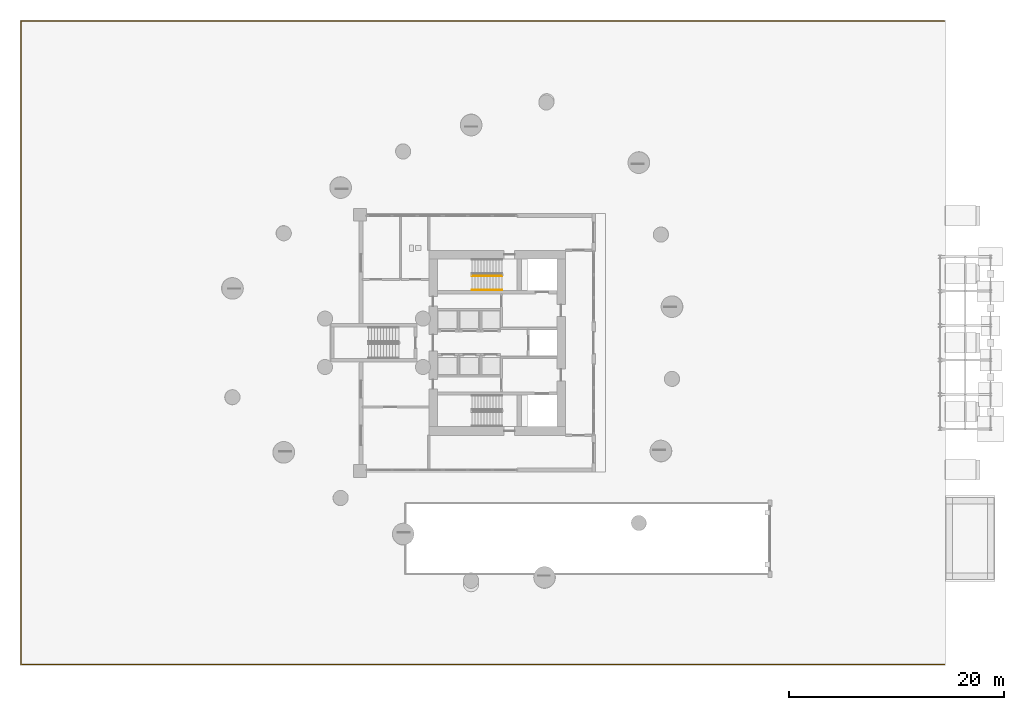
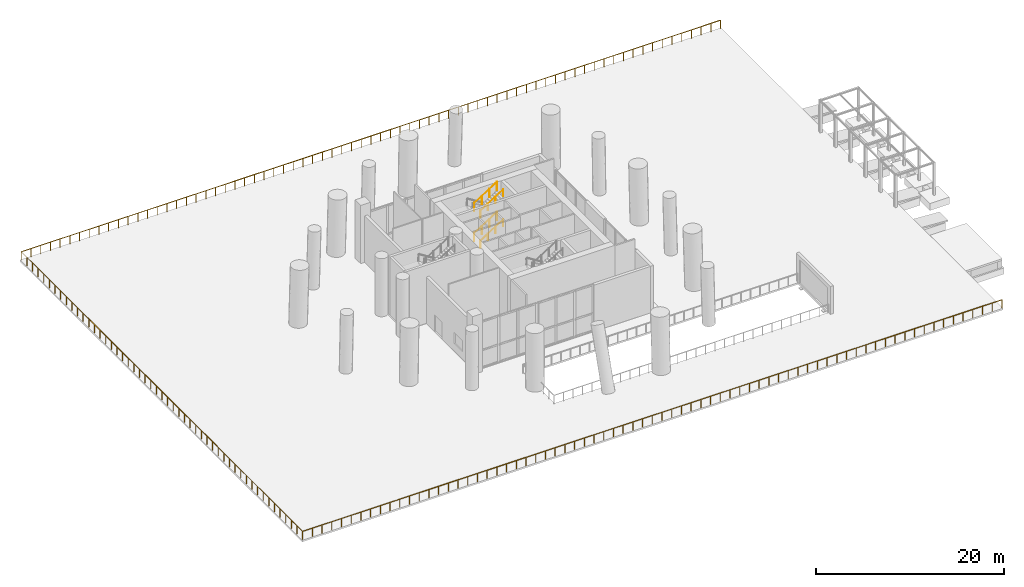
# One storey, part 12 of 16: 5 railings.
"""IFC4 building model written with IfcOpenShell, lengths in metres."""

from ifc_helpers import new_model, si_unit, direction, frame, origin, origin_2d, place, context, subcontext, project, spatial, circle, extrude, source, transform, mapped, material, type_object, element, save


model = new_model("IFC4")

# Units and contexts
model_context = context("Model", 3, precision=1e-05, world=origin(), true_north=direction((0.0, 1.0)))
body_context = subcontext(model_context, "Body", "Model", "MODEL_VIEW")
ifc_project = project(units=[si_unit("LENGTHUNIT", "METRE"), si_unit("AREAUNIT", "SQUARE_METRE"), si_unit("VOLUMEUNIT", "CUBIC_METRE"), si_unit("PLANEANGLEUNIT", "RADIAN"), si_unit("MASSUNIT", "GRAM", prefix="KILO")], contexts=[model_context])

# Site, building, storey
site_placement = place(None, origin())
site = spatial("IfcSite", under=ifc_project, at=site_placement, CompositionType="ELEMENT")
building_placement = place(site_placement, origin())
building = spatial("IfcBuilding", under=site, at=building_placement, Name="Qafzar Sky-Pleat Residences", CompositionType="ELEMENT")
storey_placement = place(building_placement, origin())
storey = spatial("IfcBuildingStorey", under=building, at=storey_placement, Name="L00", CompositionType="ELEMENT", Elevation=0.0)

# Railings
ifc_material_1 = material(Name="Laminated glass and bronze steel balustrade", Category="steel")
railing_type_1 = type_object("IfcRailingType", Name="RAIL-BAL-1100", PredefinedType="BALUSTRADE", material=ifc_material_1)
shared_shape_1 = source(origin(), body_context, "Body", "SweptSolid", [
    extrude(circle(Radius=0.02392578125, at=origin_2d()), frame((0.0, 0.0, 1.076171875), z_axis=(-1.0, 0.0, 0.0), x_axis=(0.0, -1.0, 0.0)), (0.0, 0.0, 1.0), 85.7998046875),
    extrude(circle(Radius=0.02392578125, at=origin_2d()), frame((-85.7998046875, 0.0, 1.076171875), z_axis=(0.0, 1.0, 0.0), x_axis=(-1.0, 0.0, 0.0)), (0.0, 0.0, 1.0), 59.7998046875),
    extrude(circle(Radius=0.02392578125, at=origin_2d()), frame((-85.7998046875, 59.7998046875, 1.076171875), z_axis=(1.0, 0.0, 0.0), x_axis=(0.0, 1.0, 0.0)), (0.0, 0.0, 1.0), 85.7998046875),
    extrude(circle(Radius=0.02099609375, at=origin_2d()), origin(), (0.0, 0.0, 1.0), 1.052001953125),
    extrude(circle(Radius=0.02099609375, at=origin_2d()), frame((-1.191650390625, 0.0, 0.0)), (0.0, 0.0, 1.0), 1.052001953125),
    extrude(circle(Radius=0.02099609375, at=origin_2d()), frame((-2.38330078125, 0.0, 0.0)), (0.0, 0.0, 1.0), 1.052001953125),
    extrude(circle(Radius=0.02099609375, at=origin_2d()), frame((-3.574951171875, 0.0, 0.0)), (0.0, 0.0, 1.0), 1.052001953125),
    extrude(circle(Radius=0.02099609375, at=origin_2d()), frame((-4.7666015625, 0.0, 0.0)), (0.0, 0.0, 1.0), 1.052001953125),
    extrude(circle(Radius=0.02099609375, at=origin_2d()), frame((-5.958251953125, 0.0, 0.0)), (0.0, 0.0, 1.0), 1.052001953125),
    extrude(circle(Radius=0.02099609375, at=origin_2d()), frame((-7.14990234375, 0.0, 0.0)), (0.0, 0.0, 1.0), 1.052001953125),
    extrude(circle(Radius=0.02099609375, at=origin_2d()), frame((-8.341552734375, 0.0, 0.0)), (0.0, 0.0, 1.0), 1.052001953125),
    extrude(circle(Radius=0.02099609375, at=origin_2d()), frame((-9.533203125, 0.0, 0.0)), (0.0, 0.0, 1.0), 1.052001953125),
    extrude(circle(Radius=0.02099609375, at=origin_2d()), frame((-10.72509765625, 0.0, 0.0)), (0.0, 0.0, 1.0), 1.052001953125),
    extrude(circle(Radius=0.02099609375, at=origin_2d()), frame((-11.916748046875, 0.0, 0.0)), (0.0, 0.0, 1.0), 1.052001953125),
    extrude(circle(Radius=0.02099609375, at=origin_2d()), frame((-13.1083984375, 0.0, 0.0)), (0.0, 0.0, 1.0), 1.052001953125),
    extrude(circle(Radius=0.02099609375, at=origin_2d()), frame((-14.300048828125, 0.0, 0.0)), (0.0, 0.0, 1.0), 1.052001953125),
    extrude(circle(Radius=0.02099609375, at=origin_2d()), frame((-15.49169921875, 0.0, 0.0)), (0.0, 0.0, 1.0), 1.052001953125),
    extrude(circle(Radius=0.02099609375, at=origin_2d()), frame((-16.683349609375, 0.0, 0.0)), (0.0, 0.0, 1.0), 1.052001953125),
    extrude(circle(Radius=0.02099609375, at=origin_2d()), frame((-17.875, 0.0, 0.0)), (0.0, 0.0, 1.0), 1.052001953125),
    extrude(circle(Radius=0.02099609375, at=origin_2d()), frame((-19.066650390625, 0.0, 0.0)), (0.0, 0.0, 1.0), 1.052001953125),
    extrude(circle(Radius=0.02099609375, at=origin_2d()), frame((-20.25830078125, 0.0, 0.0)), (0.0, 0.0, 1.0), 1.052001953125),
    extrude(circle(Radius=0.02099609375, at=origin_2d()), frame((-21.449951171875, 0.0, 0.0)), (0.0, 0.0, 1.0), 1.052001953125),
    extrude(circle(Radius=0.02099609375, at=origin_2d()), frame((-22.6416015625, 0.0, 0.0)), (0.0, 0.0, 1.0), 1.052001953125),
    extrude(circle(Radius=0.02099609375, at=origin_2d()), frame((-23.833251953125, 0.0, 0.0)), (0.0, 0.0, 1.0), 1.052001953125),
    extrude(circle(Radius=0.02099609375, at=origin_2d()), frame((-25.02490234375, 0.0, 0.0)), (0.0, 0.0, 1.0), 1.052001953125),
    extrude(circle(Radius=0.02099609375, at=origin_2d()), frame((-26.216552734375, 0.0, 0.0)), (0.0, 0.0, 1.0), 1.052001953125),
    extrude(circle(Radius=0.02099609375, at=origin_2d()), frame((-27.408203125, 0.0, 0.0)), (0.0, 0.0, 1.0), 1.052001953125),
    extrude(circle(Radius=0.02099609375, at=origin_2d()), frame((-28.599853515625, 0.0, 0.0)), (0.0, 0.0, 1.0), 1.052001953125),
    extrude(circle(Radius=0.02099609375, at=origin_2d()), frame((-29.79150390625, 0.0, 0.0)), (0.0, 0.0, 1.0), 1.052001953125),
    extrude(circle(Radius=0.02099609375, at=origin_2d()), frame((-30.983154296875, 0.0, 0.0)), (0.0, 0.0, 1.0), 1.052001953125),
    extrude(circle(Radius=0.02099609375, at=origin_2d()), frame((-32.1748046875, 0.0, 0.0)), (0.0, 0.0, 1.0), 1.052001953125),
    extrude(circle(Radius=0.02099609375, at=origin_2d()), frame((-33.36669921875, 0.0, 0.0)), (0.0, 0.0, 1.0), 1.052001953125),
    extrude(circle(Radius=0.02099609375, at=origin_2d()), frame((-34.558349609375, 0.0, 0.0)), (0.0, 0.0, 1.0), 1.052001953125),
    extrude(circle(Radius=0.02099609375, at=origin_2d()), frame((-35.75, 0.0, 0.0)), (0.0, 0.0, 1.0), 1.052001953125),
    extrude(circle(Radius=0.02099609375, at=origin_2d()), frame((-36.941650390625, 0.0, 0.0)), (0.0, 0.0, 1.0), 1.052001953125),
    extrude(circle(Radius=0.02099609375, at=origin_2d()), frame((-38.13330078125, 0.0, 0.0)), (0.0, 0.0, 1.0), 1.052001953125),
    extrude(circle(Radius=0.02099609375, at=origin_2d()), frame((-39.324951171875, 0.0, 0.0)), (0.0, 0.0, 1.0), 1.052001953125),
    extrude(circle(Radius=0.02099609375, at=origin_2d()), frame((-40.5166015625, 0.0, 0.0)), (0.0, 0.0, 1.0), 1.052001953125),
    extrude(circle(Radius=0.02099609375, at=origin_2d()), frame((-41.708251953125, 0.0, 0.0)), (0.0, 0.0, 1.0), 1.052001953125),
    extrude(circle(Radius=0.02099609375, at=origin_2d()), frame((-42.89990234375, 0.0, 0.0)), (0.0, 0.0, 1.0), 1.052001953125),
    extrude(circle(Radius=0.02099609375, at=origin_2d()), frame((-44.091552734375, 0.0, 0.0)), (0.0, 0.0, 1.0), 1.052001953125),
    extrude(circle(Radius=0.02099609375, at=origin_2d()), frame((-45.283203125, 0.0, 0.0)), (0.0, 0.0, 1.0), 1.052001953125),
    extrude(circle(Radius=0.02099609375, at=origin_2d()), frame((-46.474853515625, 0.0, 0.0)), (0.0, 0.0, 1.0), 1.052001953125),
    extrude(circle(Radius=0.02099609375, at=origin_2d()), frame((-47.66650390625, 0.0, 0.0)), (0.0, 0.0, 1.0), 1.052001953125),
    extrude(circle(Radius=0.02099609375, at=origin_2d()), frame((-48.858154296875, 0.0, 0.0)), (0.0, 0.0, 1.0), 1.052001953125),
    extrude(circle(Radius=0.02099609375, at=origin_2d()), frame((-50.0498046875, 0.0, 0.0)), (0.0, 0.0, 1.0), 1.052001953125),
    extrude(circle(Radius=0.02099609375, at=origin_2d()), frame((-51.241455078125, 0.0, 0.0)), (0.0, 0.0, 1.0), 1.052001953125),
    extrude(circle(Radius=0.02099609375, at=origin_2d()), frame((-52.43310546875, 0.0, 0.0)), (0.0, 0.0, 1.0), 1.052001953125),
    extrude(circle(Radius=0.02099609375, at=origin_2d()), frame((-53.625, 0.0, 0.0)), (0.0, 0.0, 1.0), 1.052001953125),
    extrude(circle(Radius=0.02099609375, at=origin_2d()), frame((-54.816650390625, 0.0, 0.0)), (0.0, 0.0, 1.0), 1.052001953125),
    extrude(circle(Radius=0.02099609375, at=origin_2d()), frame((-56.00830078125, 0.0, 0.0)), (0.0, 0.0, 1.0), 1.052001953125),
    extrude(circle(Radius=0.02099609375, at=origin_2d()), frame((-57.199951171875, 0.0, 0.0)), (0.0, 0.0, 1.0), 1.052001953125),
    extrude(circle(Radius=0.02099609375, at=origin_2d()), frame((-58.3916015625, 0.0, 0.0)), (0.0, 0.0, 1.0), 1.052001953125),
    extrude(circle(Radius=0.02099609375, at=origin_2d()), frame((-59.583251953125, 0.0, 0.0)), (0.0, 0.0, 1.0), 1.052001953125),
    extrude(circle(Radius=0.02099609375, at=origin_2d()), frame((-60.77490234375, 0.0, 0.0)), (0.0, 0.0, 1.0), 1.052001953125),
    extrude(circle(Radius=0.02099609375, at=origin_2d()), frame((-61.966552734375, 0.0, 0.0)), (0.0, 0.0, 1.0), 1.052001953125),
    extrude(circle(Radius=0.02099609375, at=origin_2d()), frame((-63.158203125, 0.0, 0.0)), (0.0, 0.0, 1.0), 1.052001953125),
    extrude(circle(Radius=0.02099609375, at=origin_2d()), frame((-64.349853515625, 0.0, 0.0)), (0.0, 0.0, 1.0), 1.052001953125),
    extrude(circle(Radius=0.02099609375, at=origin_2d()), frame((-65.54150390625, 0.0, 0.0)), (0.0, 0.0, 1.0), 1.052001953125),
    extrude(circle(Radius=0.02099609375, at=origin_2d()), frame((-66.733154296875, 0.0, 0.0)), (0.0, 0.0, 1.0), 1.052001953125),
    extrude(circle(Radius=0.02099609375, at=origin_2d()), frame((-67.9248046875, 0.0, 0.0)), (0.0, 0.0, 1.0), 1.052001953125),
    extrude(circle(Radius=0.02099609375, at=origin_2d()), frame((-69.116455078125, 0.0, 0.0)), (0.0, 0.0, 1.0), 1.052001953125),
    extrude(circle(Radius=0.02099609375, at=origin_2d()), frame((-70.30810546875, 0.0, 0.0)), (0.0, 0.0, 1.0), 1.052001953125),
    extrude(circle(Radius=0.02099609375, at=origin_2d()), frame((-71.499755859375, 0.0, 0.0)), (0.0, 0.0, 1.0), 1.052001953125),
    extrude(circle(Radius=0.02099609375, at=origin_2d()), frame((-72.69140625, 0.0, 0.0)), (0.0, 0.0, 1.0), 1.052001953125),
    extrude(circle(Radius=0.02099609375, at=origin_2d()), frame((-73.883056640625, 0.0, 0.0)), (0.0, 0.0, 1.0), 1.052001953125),
    extrude(circle(Radius=0.02099609375, at=origin_2d()), frame((-75.07470703125, 0.0, 0.0)), (0.0, 0.0, 1.0), 1.052001953125),
    extrude(circle(Radius=0.02099609375, at=origin_2d()), frame((-76.2666015625, 0.0, 0.0)), (0.0, 0.0, 1.0), 1.052001953125),
    extrude(circle(Radius=0.02099609375, at=origin_2d()), frame((-77.458251953125, 0.0, 0.0)), (0.0, 0.0, 1.0), 1.052001953125),
    extrude(circle(Radius=0.02099609375, at=origin_2d()), frame((-78.64990234375, 0.0, 0.0)), (0.0, 0.0, 1.0), 1.052001953125),
    extrude(circle(Radius=0.02099609375, at=origin_2d()), frame((-79.841552734375, 0.0, 0.0)), (0.0, 0.0, 1.0), 1.052001953125),
    extrude(circle(Radius=0.02099609375, at=origin_2d()), frame((-81.033203125, 0.0, 0.0)), (0.0, 0.0, 1.0), 1.052001953125),
    extrude(circle(Radius=0.02099609375, at=origin_2d()), frame((-82.224853515625, 0.0, 0.0)), (0.0, 0.0, 1.0), 1.052001953125),
    extrude(circle(Radius=0.02099609375, at=origin_2d()), frame((-83.41650390625, 0.0, 0.0)), (0.0, 0.0, 1.0), 1.052001953125),
    extrude(circle(Radius=0.02099609375, at=origin_2d()), frame((-84.608154296875, 0.0, 0.0)), (0.0, 0.0, 1.0), 1.052001953125),
    extrude(circle(Radius=0.02099609375, at=origin_2d()), frame((-85.7998046875, 0.0, 0.0)), (0.0, 0.0, 1.0), 1.052001953125),
    extrude(circle(Radius=0.02099609375, at=origin_2d()), frame((-85.7998046875, 1.196044921875, 0.0)), (0.0, 0.0, 1.0), 1.052001953125),
    extrude(circle(Radius=0.02099609375, at=origin_2d()), frame((-85.7998046875, 2.39208984375, 0.0)), (0.0, 0.0, 1.0), 1.052001953125),
    extrude(circle(Radius=0.02099609375, at=origin_2d()), frame((-85.7998046875, 3.587890625, 0.0)), (0.0, 0.0, 1.0), 1.052001953125),
    extrude(circle(Radius=0.02099609375, at=origin_2d()), frame((-85.7998046875, 4.783935546875, 0.0)), (0.0, 0.0, 1.0), 1.052001953125),
    extrude(circle(Radius=0.02099609375, at=origin_2d()), frame((-85.7998046875, 5.97998046875, 0.0)), (0.0, 0.0, 1.0), 1.052001953125),
    extrude(circle(Radius=0.02099609375, at=origin_2d()), frame((-85.7998046875, 7.176025390625, 0.0)), (0.0, 0.0, 1.0), 1.052001953125),
    extrude(circle(Radius=0.02099609375, at=origin_2d()), frame((-85.7998046875, 8.3720703125, 0.0)), (0.0, 0.0, 1.0), 1.052001953125),
    extrude(circle(Radius=0.02099609375, at=origin_2d()), frame((-85.7998046875, 9.56787109375, 0.0)), (0.0, 0.0, 1.0), 1.052001953125),
    extrude(circle(Radius=0.02099609375, at=origin_2d()), frame((-85.7998046875, 10.763916015625, 0.0)), (0.0, 0.0, 1.0), 1.052001953125),
    extrude(circle(Radius=0.02099609375, at=origin_2d()), frame((-85.7998046875, 11.9599609375, 0.0)), (0.0, 0.0, 1.0), 1.052001953125),
    extrude(circle(Radius=0.02099609375, at=origin_2d()), frame((-85.7998046875, 13.156005859375, 0.0)), (0.0, 0.0, 1.0), 1.052001953125),
    extrude(circle(Radius=0.02099609375, at=origin_2d()), frame((-85.7998046875, 14.35205078125, 0.0)), (0.0, 0.0, 1.0), 1.052001953125),
    extrude(circle(Radius=0.02099609375, at=origin_2d()), frame((-85.7998046875, 15.5478515625, 0.0)), (0.0, 0.0, 1.0), 1.052001953125),
    extrude(circle(Radius=0.02099609375, at=origin_2d()), frame((-85.7998046875, 16.743896484375, 0.0)), (0.0, 0.0, 1.0), 1.052001953125),
    extrude(circle(Radius=0.02099609375, at=origin_2d()), frame((-85.7998046875, 17.93994140625, 0.0)), (0.0, 0.0, 1.0), 1.052001953125),
    extrude(circle(Radius=0.02099609375, at=origin_2d()), frame((-85.7998046875, 19.135986328125, 0.0)), (0.0, 0.0, 1.0), 1.052001953125),
    extrude(circle(Radius=0.02099609375, at=origin_2d()), frame((-85.7998046875, 20.33203125, 0.0)), (0.0, 0.0, 1.0), 1.052001953125),
    extrude(circle(Radius=0.02099609375, at=origin_2d()), frame((-85.7998046875, 21.52783203125, 0.0)), (0.0, 0.0, 1.0), 1.052001953125),
    extrude(circle(Radius=0.02099609375, at=origin_2d()), frame((-85.7998046875, 22.723876953125, 0.0)), (0.0, 0.0, 1.0), 1.052001953125),
    extrude(circle(Radius=0.02099609375, at=origin_2d()), frame((-85.7998046875, 23.919921875, 0.0)), (0.0, 0.0, 1.0), 1.052001953125),
    extrude(circle(Radius=0.02099609375, at=origin_2d()), frame((-85.7998046875, 25.115966796875, 0.0)), (0.0, 0.0, 1.0), 1.052001953125),
    extrude(circle(Radius=0.02099609375, at=origin_2d()), frame((-85.7998046875, 26.31201171875, 0.0)), (0.0, 0.0, 1.0), 1.052001953125),
    extrude(circle(Radius=0.02099609375, at=origin_2d()), frame((-85.7998046875, 27.5078125, 0.0)), (0.0, 0.0, 1.0), 1.052001953125),
    extrude(circle(Radius=0.02099609375, at=origin_2d()), frame((-85.7998046875, 28.703857421875, 0.0)), (0.0, 0.0, 1.0), 1.052001953125),
    extrude(circle(Radius=0.02099609375, at=origin_2d()), frame((-85.7998046875, 29.89990234375, 0.0)), (0.0, 0.0, 1.0), 1.052001953125),
    extrude(circle(Radius=0.02099609375, at=origin_2d()), frame((-85.7998046875, 31.095947265625, 0.0)), (0.0, 0.0, 1.0), 1.052001953125),
    extrude(circle(Radius=0.02099609375, at=origin_2d()), frame((-85.7998046875, 32.2919921875, 0.0)), (0.0, 0.0, 1.0), 1.052001953125),
    extrude(circle(Radius=0.02099609375, at=origin_2d()), frame((-85.7998046875, 33.48779296875, 0.0)), (0.0, 0.0, 1.0), 1.052001953125),
    extrude(circle(Radius=0.02099609375, at=origin_2d()), frame((-85.7998046875, 34.683837890625, 0.0)), (0.0, 0.0, 1.0), 1.052001953125),
    extrude(circle(Radius=0.02099609375, at=origin_2d()), frame((-85.7998046875, 35.8798828125, 0.0)), (0.0, 0.0, 1.0), 1.052001953125),
    extrude(circle(Radius=0.02099609375, at=origin_2d()), frame((-85.7998046875, 37.075927734375, 0.0)), (0.0, 0.0, 1.0), 1.052001953125),
    extrude(circle(Radius=0.02099609375, at=origin_2d()), frame((-85.7998046875, 38.27197265625, 0.0)), (0.0, 0.0, 1.0), 1.052001953125),
    extrude(circle(Radius=0.02099609375, at=origin_2d()), frame((-85.7998046875, 39.4677734375, 0.0)), (0.0, 0.0, 1.0), 1.052001953125),
    extrude(circle(Radius=0.02099609375, at=origin_2d()), frame((-85.7998046875, 40.663818359375, 0.0)), (0.0, 0.0, 1.0), 1.052001953125),
    extrude(circle(Radius=0.02099609375, at=origin_2d()), frame((-85.7998046875, 41.85986328125, 0.0)), (0.0, 0.0, 1.0), 1.052001953125),
    extrude(circle(Radius=0.02099609375, at=origin_2d()), frame((-85.7998046875, 43.055908203125, 0.0)), (0.0, 0.0, 1.0), 1.052001953125),
    extrude(circle(Radius=0.02099609375, at=origin_2d()), frame((-85.7998046875, 44.251953125, 0.0)), (0.0, 0.0, 1.0), 1.052001953125),
    extrude(circle(Radius=0.02099609375, at=origin_2d()), frame((-85.7998046875, 45.44775390625, 0.0)), (0.0, 0.0, 1.0), 1.052001953125),
    extrude(circle(Radius=0.02099609375, at=origin_2d()), frame((-85.7998046875, 46.643798828125, 0.0)), (0.0, 0.0, 1.0), 1.052001953125),
    extrude(circle(Radius=0.02099609375, at=origin_2d()), frame((-85.7998046875, 47.83984375, 0.0)), (0.0, 0.0, 1.0), 1.052001953125),
    extrude(circle(Radius=0.02099609375, at=origin_2d()), frame((-85.7998046875, 49.035888671875, 0.0)), (0.0, 0.0, 1.0), 1.052001953125),
    extrude(circle(Radius=0.02099609375, at=origin_2d()), frame((-85.7998046875, 50.23193359375, 0.0)), (0.0, 0.0, 1.0), 1.052001953125),
    extrude(circle(Radius=0.02099609375, at=origin_2d()), frame((-85.7998046875, 51.427734375, 0.0)), (0.0, 0.0, 1.0), 1.052001953125),
    extrude(circle(Radius=0.02099609375, at=origin_2d()), frame((-85.7998046875, 52.623779296875, 0.0)), (0.0, 0.0, 1.0), 1.052001953125),
    extrude(circle(Radius=0.02099609375, at=origin_2d()), frame((-85.7998046875, 53.81982421875, 0.0)), (0.0, 0.0, 1.0), 1.052001953125),
    extrude(circle(Radius=0.02099609375, at=origin_2d()), frame((-85.7998046875, 55.015869140625, 0.0)), (0.0, 0.0, 1.0), 1.052001953125),
    extrude(circle(Radius=0.02099609375, at=origin_2d()), frame((-85.7998046875, 56.2119140625, 0.0)), (0.0, 0.0, 1.0), 1.052001953125),
    extrude(circle(Radius=0.02099609375, at=origin_2d()), frame((-85.7998046875, 57.40771484375, 0.0)), (0.0, 0.0, 1.0), 1.052001953125),
    extrude(circle(Radius=0.02099609375, at=origin_2d()), frame((-85.7998046875, 58.603759765625, 0.0)), (0.0, 0.0, 1.0), 1.052001953125),
    extrude(circle(Radius=0.02099609375, at=origin_2d()), frame((-85.7998046875, 59.7998046875, 0.0)), (0.0, 0.0, 1.0), 1.052001953125),
    extrude(circle(Radius=0.02099609375, at=origin_2d()), frame((-84.608154296875, 59.7998046875, 0.0)), (0.0, 0.0, 1.0), 1.052001953125),
    extrude(circle(Radius=0.02099609375, at=origin_2d()), frame((-83.41650390625, 59.7998046875, 0.0)), (0.0, 0.0, 1.0), 1.052001953125),
    extrude(circle(Radius=0.02099609375, at=origin_2d()), frame((-82.224853515625, 59.7998046875, 0.0)), (0.0, 0.0, 1.0), 1.052001953125),
    extrude(circle(Radius=0.02099609375, at=origin_2d()), frame((-81.033203125, 59.7998046875, 0.0)), (0.0, 0.0, 1.0), 1.052001953125),
    extrude(circle(Radius=0.02099609375, at=origin_2d()), frame((-79.841552734375, 59.7998046875, 0.0)), (0.0, 0.0, 1.0), 1.052001953125),
    extrude(circle(Radius=0.02099609375, at=origin_2d()), frame((-78.64990234375, 59.7998046875, 0.0)), (0.0, 0.0, 1.0), 1.052001953125),
    extrude(circle(Radius=0.02099609375, at=origin_2d()), frame((-77.458251953125, 59.7998046875, 0.0)), (0.0, 0.0, 1.0), 1.052001953125),
    extrude(circle(Radius=0.02099609375, at=origin_2d()), frame((-76.2666015625, 59.7998046875, 0.0)), (0.0, 0.0, 1.0), 1.052001953125),
    extrude(circle(Radius=0.02099609375, at=origin_2d()), frame((-75.07470703125, 59.7998046875, 0.0)), (0.0, 0.0, 1.0), 1.052001953125),
    extrude(circle(Radius=0.02099609375, at=origin_2d()), frame((-73.883056640625, 59.7998046875, 0.0)), (0.0, 0.0, 1.0), 1.052001953125),
    extrude(circle(Radius=0.02099609375, at=origin_2d()), frame((-72.69140625, 59.7998046875, 0.0)), (0.0, 0.0, 1.0), 1.052001953125),
    extrude(circle(Radius=0.02099609375, at=origin_2d()), frame((-71.499755859375, 59.7998046875, 0.0)), (0.0, 0.0, 1.0), 1.052001953125),
    extrude(circle(Radius=0.02099609375, at=origin_2d()), frame((-70.30810546875, 59.7998046875, 0.0)), (0.0, 0.0, 1.0), 1.052001953125),
    extrude(circle(Radius=0.02099609375, at=origin_2d()), frame((-69.116455078125, 59.7998046875, 0.0)), (0.0, 0.0, 1.0), 1.052001953125),
    extrude(circle(Radius=0.02099609375, at=origin_2d()), frame((-67.9248046875, 59.7998046875, 0.0)), (0.0, 0.0, 1.0), 1.052001953125),
    extrude(circle(Radius=0.02099609375, at=origin_2d()), frame((-66.733154296875, 59.7998046875, 0.0)), (0.0, 0.0, 1.0), 1.052001953125),
    extrude(circle(Radius=0.02099609375, at=origin_2d()), frame((-65.54150390625, 59.7998046875, 0.0)), (0.0, 0.0, 1.0), 1.052001953125),
    extrude(circle(Radius=0.02099609375, at=origin_2d()), frame((-64.349853515625, 59.7998046875, 0.0)), (0.0, 0.0, 1.0), 1.052001953125),
    extrude(circle(Radius=0.02099609375, at=origin_2d()), frame((-63.158203125, 59.7998046875, 0.0)), (0.0, 0.0, 1.0), 1.052001953125),
    extrude(circle(Radius=0.02099609375, at=origin_2d()), frame((-61.966552734375, 59.7998046875, 0.0)), (0.0, 0.0, 1.0), 1.052001953125),
    extrude(circle(Radius=0.02099609375, at=origin_2d()), frame((-60.77490234375, 59.7998046875, 0.0)), (0.0, 0.0, 1.0), 1.052001953125),
    extrude(circle(Radius=0.02099609375, at=origin_2d()), frame((-59.583251953125, 59.7998046875, 0.0)), (0.0, 0.0, 1.0), 1.052001953125),
    extrude(circle(Radius=0.02099609375, at=origin_2d()), frame((-58.3916015625, 59.7998046875, 0.0)), (0.0, 0.0, 1.0), 1.052001953125),
    extrude(circle(Radius=0.02099609375, at=origin_2d()), frame((-57.199951171875, 59.7998046875, 0.0)), (0.0, 0.0, 1.0), 1.052001953125),
    extrude(circle(Radius=0.02099609375, at=origin_2d()), frame((-56.00830078125, 59.7998046875, 0.0)), (0.0, 0.0, 1.0), 1.052001953125),
    extrude(circle(Radius=0.02099609375, at=origin_2d()), frame((-54.816650390625, 59.7998046875, 0.0)), (0.0, 0.0, 1.0), 1.052001953125),
    extrude(circle(Radius=0.02099609375, at=origin_2d()), frame((-53.625, 59.7998046875, 0.0)), (0.0, 0.0, 1.0), 1.052001953125),
    extrude(circle(Radius=0.02099609375, at=origin_2d()), frame((-52.43310546875, 59.7998046875, 0.0)), (0.0, 0.0, 1.0), 1.052001953125),
    extrude(circle(Radius=0.02099609375, at=origin_2d()), frame((-51.241455078125, 59.7998046875, 0.0)), (0.0, 0.0, 1.0), 1.052001953125),
    extrude(circle(Radius=0.02099609375, at=origin_2d()), frame((-50.0498046875, 59.7998046875, 0.0)), (0.0, 0.0, 1.0), 1.052001953125),
    extrude(circle(Radius=0.02099609375, at=origin_2d()), frame((-48.858154296875, 59.7998046875, 0.0)), (0.0, 0.0, 1.0), 1.052001953125),
    extrude(circle(Radius=0.02099609375, at=origin_2d()), frame((-47.66650390625, 59.7998046875, 0.0)), (0.0, 0.0, 1.0), 1.052001953125),
    extrude(circle(Radius=0.02099609375, at=origin_2d()), frame((-46.474853515625, 59.7998046875, 0.0)), (0.0, 0.0, 1.0), 1.052001953125),
    extrude(circle(Radius=0.02099609375, at=origin_2d()), frame((-45.283203125, 59.7998046875, 0.0)), (0.0, 0.0, 1.0), 1.052001953125),
    extrude(circle(Radius=0.02099609375, at=origin_2d()), frame((-44.091552734375, 59.7998046875, 0.0)), (0.0, 0.0, 1.0), 1.052001953125),
    extrude(circle(Radius=0.02099609375, at=origin_2d()), frame((-42.89990234375, 59.7998046875, 0.0)), (0.0, 0.0, 1.0), 1.052001953125),
    extrude(circle(Radius=0.02099609375, at=origin_2d()), frame((-41.708251953125, 59.7998046875, 0.0)), (0.0, 0.0, 1.0), 1.052001953125),
    extrude(circle(Radius=0.02099609375, at=origin_2d()), frame((-40.5166015625, 59.7998046875, 0.0)), (0.0, 0.0, 1.0), 1.052001953125),
    extrude(circle(Radius=0.02099609375, at=origin_2d()), frame((-39.324951171875, 59.7998046875, 0.0)), (0.0, 0.0, 1.0), 1.052001953125),
    extrude(circle(Radius=0.02099609375, at=origin_2d()), frame((-38.13330078125, 59.7998046875, 0.0)), (0.0, 0.0, 1.0), 1.052001953125),
    extrude(circle(Radius=0.02099609375, at=origin_2d()), frame((-36.941650390625, 59.7998046875, 0.0)), (0.0, 0.0, 1.0), 1.052001953125),
    extrude(circle(Radius=0.02099609375, at=origin_2d()), frame((-35.75, 59.7998046875, 0.0)), (0.0, 0.0, 1.0), 1.052001953125),
    extrude(circle(Radius=0.02099609375, at=origin_2d()), frame((-34.558349609375, 59.7998046875, 0.0)), (0.0, 0.0, 1.0), 1.052001953125),
    extrude(circle(Radius=0.02099609375, at=origin_2d()), frame((-33.36669921875, 59.7998046875, 0.0)), (0.0, 0.0, 1.0), 1.052001953125),
    extrude(circle(Radius=0.02099609375, at=origin_2d()), frame((-32.1748046875, 59.7998046875, 0.0)), (0.0, 0.0, 1.0), 1.052001953125),
    extrude(circle(Radius=0.02099609375, at=origin_2d()), frame((-30.983154296875, 59.7998046875, 0.0)), (0.0, 0.0, 1.0), 1.052001953125),
    extrude(circle(Radius=0.02099609375, at=origin_2d()), frame((-29.79150390625, 59.7998046875, 0.0)), (0.0, 0.0, 1.0), 1.052001953125),
    extrude(circle(Radius=0.02099609375, at=origin_2d()), frame((-28.599853515625, 59.7998046875, 0.0)), (0.0, 0.0, 1.0), 1.052001953125),
    extrude(circle(Radius=0.02099609375, at=origin_2d()), frame((-27.408203125, 59.7998046875, 0.0)), (0.0, 0.0, 1.0), 1.052001953125),
    extrude(circle(Radius=0.02099609375, at=origin_2d()), frame((-26.216552734375, 59.7998046875, 0.0)), (0.0, 0.0, 1.0), 1.052001953125),
    extrude(circle(Radius=0.02099609375, at=origin_2d()), frame((-25.02490234375, 59.7998046875, 0.0)), (0.0, 0.0, 1.0), 1.052001953125),
    extrude(circle(Radius=0.02099609375, at=origin_2d()), frame((-23.833251953125, 59.7998046875, 0.0)), (0.0, 0.0, 1.0), 1.052001953125),
    extrude(circle(Radius=0.02099609375, at=origin_2d()), frame((-22.6416015625, 59.7998046875, 0.0)), (0.0, 0.0, 1.0), 1.052001953125),
    extrude(circle(Radius=0.02099609375, at=origin_2d()), frame((-21.449951171875, 59.7998046875, 0.0)), (0.0, 0.0, 1.0), 1.052001953125),
    extrude(circle(Radius=0.02099609375, at=origin_2d()), frame((-20.25830078125, 59.7998046875, 0.0)), (0.0, 0.0, 1.0), 1.052001953125),
    extrude(circle(Radius=0.02099609375, at=origin_2d()), frame((-19.066650390625, 59.7998046875, 0.0)), (0.0, 0.0, 1.0), 1.052001953125),
    extrude(circle(Radius=0.02099609375, at=origin_2d()), frame((-17.875, 59.7998046875, 0.0)), (0.0, 0.0, 1.0), 1.052001953125),
    extrude(circle(Radius=0.02099609375, at=origin_2d()), frame((-16.683349609375, 59.7998046875, 0.0)), (0.0, 0.0, 1.0), 1.052001953125),
    extrude(circle(Radius=0.02099609375, at=origin_2d()), frame((-15.49169921875, 59.7998046875, 0.0)), (0.0, 0.0, 1.0), 1.052001953125),
    extrude(circle(Radius=0.02099609375, at=origin_2d()), frame((-14.300048828125, 59.7998046875, 0.0)), (0.0, 0.0, 1.0), 1.052001953125),
    extrude(circle(Radius=0.02099609375, at=origin_2d()), frame((-13.1083984375, 59.7998046875, 0.0)), (0.0, 0.0, 1.0), 1.052001953125),
    extrude(circle(Radius=0.02099609375, at=origin_2d()), frame((-11.916748046875, 59.7998046875, 0.0)), (0.0, 0.0, 1.0), 1.052001953125),
    extrude(circle(Radius=0.02099609375, at=origin_2d()), frame((-10.72509765625, 59.7998046875, 0.0)), (0.0, 0.0, 1.0), 1.052001953125),
    extrude(circle(Radius=0.02099609375, at=origin_2d()), frame((-9.533203125, 59.7998046875, 0.0)), (0.0, 0.0, 1.0), 1.052001953125),
    extrude(circle(Radius=0.02099609375, at=origin_2d()), frame((-8.341552734375, 59.7998046875, 0.0)), (0.0, 0.0, 1.0), 1.052001953125),
    extrude(circle(Radius=0.02099609375, at=origin_2d()), frame((-7.14990234375, 59.7998046875, 0.0)), (0.0, 0.0, 1.0), 1.052001953125),
    extrude(circle(Radius=0.02099609375, at=origin_2d()), frame((-5.958251953125, 59.7998046875, 0.0)), (0.0, 0.0, 1.0), 1.052001953125),
    extrude(circle(Radius=0.02099609375, at=origin_2d()), frame((-4.7666015625, 59.7998046875, 0.0)), (0.0, 0.0, 1.0), 1.052001953125),
    extrude(circle(Radius=0.02099609375, at=origin_2d()), frame((-3.574951171875, 59.7998046875, 0.0)), (0.0, 0.0, 1.0), 1.052001953125),
    extrude(circle(Radius=0.02099609375, at=origin_2d()), frame((-2.38330078125, 59.7998046875, 0.0)), (0.0, 0.0, 1.0), 1.052001953125),
    extrude(circle(Radius=0.02099609375, at=origin_2d()), frame((-1.191650390625, 59.7998046875, 0.0)), (0.0, 0.0, 1.0), 1.052001953125),
    extrude(circle(Radius=0.02099609375, at=origin_2d()), frame((0.0, 59.7998046875, 0.0)), (0.0, 0.0, 1.0), 1.052001953125),
])
railing_placement = place(storey_placement, frame((71.89990234375, -3.89990234375, 0.0)))
element("IfcRailing", 1, at=railing_placement, inside=storey, type_object=railing_type_1, Name="L00 Wadi Plaza Perimeter Balustrade", PredefinedType="BALUSTRADE", context=body_context, shape_type="MappedRepresentation", body=[
    mapped(shared_shape_1, transform((0.0, 0.0, 0.0), x_axis=(1.0, 0.0, 0.0), y_axis=(0.0, 1.0, 0.0), z_axis=(0.0, 0.0, 1.0), scale=1.0)),
])
ifc_material_2 = material(Name="Painted Steel S355 stair guardrail", Category="steel")
railing_type_2 = type_object("IfcRailingType", Name="RAIL-STAIR-GUARD", PredefinedType="GUARDRAIL", material=ifc_material_2)
shared_shape_2 = source(origin(), body_context, "Body", "SweptSolid", [
    extrude(circle(Radius=0.02392578125, at=origin_2d()), frame((0.0, 0.0, 1.076171875), z_axis=(0.844908973607, 0.0, 0.534910110503), x_axis=(0.0, 1.0, 0.0)), (0.0, 0.0, 1.0), 3.31396484375),
    extrude(circle(Radius=0.02099609375, at=origin_2d()), origin(), (0.0, 0.0, 1.0), 1.052001953125),
    extrude(circle(Radius=0.02099609375, at=origin_2d()), frame((0.933349609375, 0.0, 0.5908203125)), (0.0, 0.0, 1.0), 1.052001953125),
    extrude(circle(Radius=0.02099609375, at=origin_2d()), frame((1.86669921875, 0.0, 1.181884765625)), (0.0, 0.0, 1.0), 1.052001953125),
    extrude(circle(Radius=0.02099609375, at=origin_2d()), frame((2.800048828125, 0.0, 1.772705078125)), (0.0, 0.0, 1.0), 1.052001953125),
])
for number, where, name in (
    (2, (28.0, 32.199951171875, 2.127197265625), "L00 ST2 stair guard 3"),
    (3, (28.0, 32.199951171875, 6.02734375), "L00 ST2 stair guard 7"),
):
    element("IfcRailing", number, at=place(storey_placement, frame(where)), inside=storey, type_object=railing_type_2, Name=name, PredefinedType="GUARDRAIL", context=body_context, shape_type="MappedRepresentation", body=[
        mapped(shared_shape_2, transform((0.0, 0.0, 0.0), x_axis=(1.0, 0.0, 0.0), y_axis=(0.0, 1.0, 0.0), z_axis=(0.0, 0.0, 1.0), scale=1.0)),
    ])
ifc_material_3 = material(Name="Brushed stainless steel handrail", Category="steel")
railing_type_3 = type_object("IfcRailingType", Name="RAIL-STAIR-HAND", PredefinedType="HANDRAIL", material=ifc_material_3)
shared_shape_3 = source(origin(), body_context, "Body", "SweptSolid", [
    extrude(circle(Radius=0.02392578125, at=origin_2d()), frame((0.0, 0.0, 0.8759765625), z_axis=(0.844908973607, 0.0, 0.534910110503), x_axis=(0.0, 1.0, 0.0)), (0.0, 0.0, 1.0), 3.31396484375),
    extrude(circle(Radius=0.02099609375, at=origin_2d()), origin(), (0.0, 0.0, 1.0), 0.851806640625),
    extrude(circle(Radius=0.02099609375, at=origin_2d()), frame((0.933349609375, 0.0, 0.5908203125)), (0.0, 0.0, 1.0), 0.851806640625),
    extrude(circle(Radius=0.02099609375, at=origin_2d()), frame((1.86669921875, 0.0, 1.181884765625)), (0.0, 0.0, 1.0), 0.851806640625),
    extrude(circle(Radius=0.02099609375, at=origin_2d()), frame((2.800048828125, 0.0, 1.772705078125)), (0.0, 0.0, 1.0), 0.851806640625),
])
for number, where, name in (
    (4, (28.0, 30.89990234375, 2.127197265625), "L00 ST2 stair handrail 2"),
    (5, (28.0, 30.89990234375, 6.02734375), "L00 ST2 stair handrail 4"),
):
    element("IfcRailing", number, at=place(storey_placement, frame(where)), inside=storey, type_object=railing_type_3, Name=name, PredefinedType="HANDRAIL", context=body_context, shape_type="MappedRepresentation", body=[
        mapped(shared_shape_3, transform((0.0, 0.0, 0.0), x_axis=(1.0, 0.0, 0.0), y_axis=(0.0, 1.0, 0.0), z_axis=(0.0, 0.0, 1.0), scale=1.0)),
    ])

save(model, "model.ifc")
